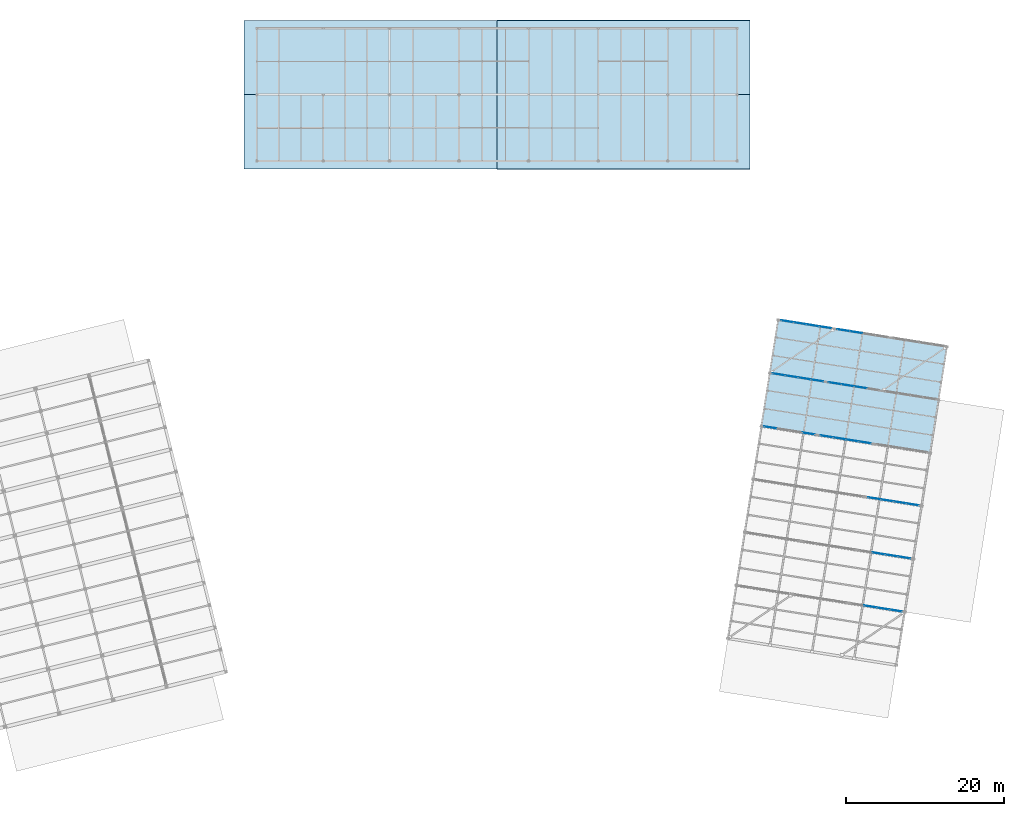
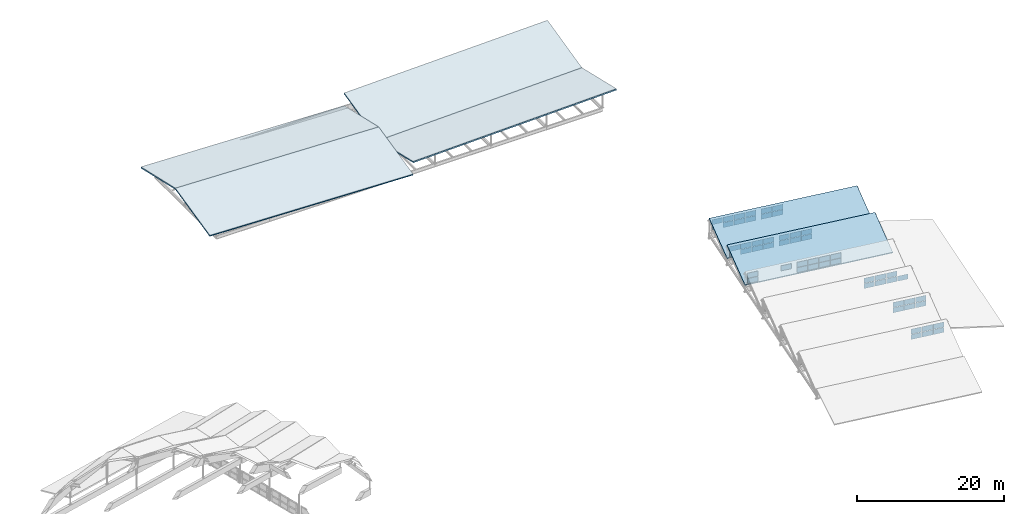
# One storey, part 57 of 65: 56 plates, 6 slabs, 9 elements without a shape of their own.
"""IFC4 building model written with IfcOpenShell, lengths in metres."""

import ifcopenshell
import ifcopenshell.guid

model = None  # the IFC model being written
_history = None  # IfcOwnerHistory: only IFC2X3 demands one
_inside = {}  # id of a spatial element -> (the spatial element, [elements in it])
_under = {}  # id of a project, library or spatial element -> (it, [spatial elements below it])
_declared = {}  # id of a project -> (the project, [libraries it declares])
_typed = {}  # id of a type object -> (the type object, [elements of that type])
_made_of = {}  # id of a material, layer set ... -> (it, [elements and type objects made of it])


def new_model(schema):
    """Start an empty IFC model of exactly this schema.

    Asked for "IFC4X3", IfcOpenShell would pick the latest addendum, in which some entities
    have other attributes; the version numbers below select the first issue.
    IFC2X3 requires an IfcOwnerHistory on every rooted entity: one is made here for all.
    """
    global model, _history
    if schema == "IFC4X3":
        model = ifcopenshell.file(schema_version=(4, 3, 0, 0))
    else:
        model = ifcopenshell.file(schema=schema)
    _inside.clear()
    _under.clear()
    _declared.clear()
    _typed.clear()
    _made_of.clear()
    _history = None
    if model.schema == "IFC2X3":
        org = make("IfcOrganization", Name="unknown")
        user = make(
            "IfcPersonAndOrganization",
            ThePerson=make("IfcPerson", FamilyName="unknown"),
            TheOrganization=org,
        )
        app = make(
            "IfcApplication",
            ApplicationDeveloper=org,
            Version="unknown",
            ApplicationFullName="unknown",
            ApplicationIdentifier="unknown",
        )
        _history = make(
            "IfcOwnerHistory",
            OwningUser=user,
            OwningApplication=app,
            ChangeAction="ADDED",
            CreationDate=0,
        )
    return model


def make(cls, **values):
    """One entity of the class cls with the attributes given. An attribute that is None is left unset."""
    return model.create_entity(
        cls, **{name: value for name, value in values.items() if value is not None}
    )


def rooted(cls, **values):
    """An entity with a GlobalId (a new one), such as an element, a storey or a relation."""
    return make(cls, GlobalId=ifcopenshell.guid.new(), OwnerHistory=_history, **values)


def si_unit(unit_type, name, prefix=None):
    """IfcSIUnit, for example si_unit("LENGTHUNIT", "METRE", prefix="MILLI")."""
    return make("IfcSIUnit", UnitType=unit_type, Prefix=prefix, Name=name)


def assignment(units):
    """IfcUnitAssignment: the units of a project."""
    return None if units is None else make("IfcUnitAssignment", Units=units)


def point(xyz):
    """IfcCartesianPoint."""
    return None if xyz is None else make("IfcCartesianPoint", Coordinates=xyz)


def direction(xyz):
    """IfcDirection."""
    return None if xyz is None else make("IfcDirection", DirectionRatios=xyz)


def frame(location, z_axis=None, x_axis=None):
    """IfcAxis2Placement3D, a coordinate frame: its origin and axes. An axis left out is left unset."""
    return make(
        "IfcAxis2Placement3D",
        Location=point(location),
        Axis=direction(z_axis),
        RefDirection=direction(x_axis),
    )


def frame_2d(location, x_axis=None):
    """IfcAxis2Placement2D, a coordinate frame in the plane: its origin and x axis."""
    return make(
        "IfcAxis2Placement2D", Location=point(location), RefDirection=direction(x_axis)
    )


def origin():
    """The frame at (0, 0, 0) with its axes left unset."""
    return frame((0.0, 0.0, 0.0))


def origin_2d():
    """The frame at (0, 0) in the plane with its x axis left unset."""
    return frame_2d((0.0, 0.0))


def place(relative_to, where):
    """IfcLocalPlacement: puts the frame where relative to a parent placement (None: the world)."""
    return make(
        "IfcLocalPlacement", PlacementRelTo=relative_to, RelativePlacement=where
    )


def context(
    kind, dimensions, precision=None, world=None, true_north=None, identifier=None
):
    """IfcGeometricRepresentationContext, for example the 3D "Model" context."""
    return make(
        "IfcGeometricRepresentationContext",
        ContextIdentifier=identifier,
        ContextType=kind,
        CoordinateSpaceDimension=dimensions,
        Precision=precision,
        WorldCoordinateSystem=world,
        TrueNorth=true_north,
    )


def subcontext(parent, identifier, kind, view, scale=None):
    """IfcGeometricRepresentationSubContext, for example "Body" below "Model"."""
    return make(
        "IfcGeometricRepresentationSubContext",
        ContextIdentifier=identifier,
        ContextType=kind,
        ParentContext=parent,
        TargetScale=scale,
        TargetView=view,
    )


def project(units=None, contexts=None):
    """IfcProject with its units and contexts."""
    return rooted(
        "IfcProject",
        Name="project",
        RepresentationContexts=contexts,
        UnitsInContext=assignment(units),
    )


def spatial(cls, under=None, at=None, **own):
    """A site, building, storey or space (cls), placed at a placement, below another one or the project."""
    s = rooted(cls, ObjectPlacement=at, **own)
    if under is not None:
        _under.setdefault(under.id(), (under, []))[1].append(s)
    return s


def polyline(points):
    """IfcPolyline through the points."""
    return make("IfcPolyline", Points=[point(p) for p in points])


def profile(cls, at=None, kind="AREA", **sizes):
    """A parametric profile (cls). Its sizes go by their IFC names, for example OverallWidth=200.0."""
    return make(cls, ProfileType=kind, Position=at, **sizes)


def rectangle(**sizes):
    """IfcRectangleProfileDef."""
    return profile("IfcRectangleProfileDef", **sizes)


def outline(outer, holes=None, kind="AREA"):
    """IfcArbitraryClosedProfileDef: a profile drawn as a closed curve; with holes, ...WithVoids."""
    if holes is None:
        return make("IfcArbitraryClosedProfileDef", ProfileType=kind, OuterCurve=outer)
    return make(
        "IfcArbitraryProfileDefWithVoids",
        ProfileType=kind,
        OuterCurve=outer,
        InnerCurves=holes,
    )


def extrude(swept, where, along, depth):
    """IfcExtrudedAreaSolid: the profile swept, set in the frame where, extruded along a direction by depth."""
    return make(
        "IfcExtrudedAreaSolid",
        SweptArea=swept,
        Position=where,
        ExtrudedDirection=direction(along),
        Depth=depth,
    )


def shape(context_of_items, identifier, shape_type, items):
    """IfcShapeRepresentation: the items that make up one representation, for example the "Body"."""
    return make(
        "IfcShapeRepresentation",
        ContextOfItems=context_of_items,
        RepresentationIdentifier=identifier,
        RepresentationType=shape_type,
        Items=items,
    )


def material(Name=None, Category=None):
    """IfcMaterial."""
    return make("IfcMaterial", Name=Name, Category=Category)


def layer(
    of_material, thickness, ventilated=None, Name=None, Category=None, Priority=None
):
    """IfcMaterialLayer: one layer of a wall or slab, of a material (None: an air gap)."""
    return make(
        "IfcMaterialLayer",
        Material=of_material,
        LayerThickness=thickness,
        IsVentilated=ventilated,
        Name=Name,
        Category=Category,
        Priority=Priority,
    )


def layer_set(layers, Name=None):
    """IfcMaterialLayerSet."""
    return make("IfcMaterialLayerSet", MaterialLayers=layers, LayerSetName=Name)


def made_of(thing, what):
    """Note that an element or type object is made of a material, layer set ...; save() writes the relation."""
    if what is not None:
        _made_of.setdefault(what.id(), (what, []))[1].append(thing)
    return thing


def type_object(cls, material=None, **own):
    """A type object (cls), such as IfcWallType, which elements share."""
    return made_of(rooted(cls, **own), material)


def element(
    cls,
    number,
    at=None,
    inside=None,
    cuts=None,
    type_object=None,
    material=None,
    context=None,
    identifier="Body",
    shape_type=None,
    held_by="IfcProductDefinitionShape",
    body=None,
    shapes=None,
    **own,
):
    """One element of the class cls, such as IfcWall. Its Tag is "e" and its number.

    at: its placement. inside: the storey or other place that contains it. cuts: it is an
    opening in that element (IfcRelVoidsElement). A single representation is given by context,
    identifier, shape_type and body (its items); several are given by shapes. held_by: the class
    of the entity that holds the representations. save() writes the other relations.
    """
    e = rooted(cls, Tag="e%d" % number, ObjectPlacement=at, **own)
    if body is not None:
        shapes = [shape(context, identifier, shape_type, body)]
    if shapes is not None:
        e.Representation = make(held_by, Representations=shapes)
    if inside is not None:
        _inside.setdefault(inside.id(), (inside, []))[1].append(e)
    if cuts is not None:
        rooted(
            "IfcRelVoidsElement", RelatingBuildingElement=cuts, RelatedOpeningElement=e
        )
    if type_object is not None:
        _typed.setdefault(type_object.id(), (type_object, []))[1].append(e)
    return made_of(e, material)


def aggregate(whole, parts):
    """IfcRelAggregates: a whole, such as a stair, and the parts it consists of."""
    return rooted("IfcRelAggregates", RelatingObject=whole, RelatedObjects=parts)


def save(model, path):
    """Write the relations noted so far, then the file.

    IfcRelAggregates (storeys below a building ...), IfcRelContainedInSpatialStructure (elements
    in a storey), IfcRelDefinesByType, IfcRelAssociatesMaterial and IfcRelDeclares: one each for
    every whole, place, type object, material and project.
    """
    for whole, parts in _under.values():
        aggregate(whole, parts)
    for where, things in _inside.values():
        rooted(
            "IfcRelContainedInSpatialStructure",
            RelatedElements=things,
            RelatingStructure=where,
        )
    for kind, things in _typed.values():
        rooted("IfcRelDefinesByType", RelatedObjects=things, RelatingType=kind)
    for what, things in _made_of.values():
        rooted("IfcRelAssociatesMaterial", RelatedObjects=things, RelatingMaterial=what)
    for by, libraries in _declared.values():
        rooted("IfcRelDeclares", RelatingContext=by, RelatedDefinitions=libraries)
    model.write(path)


model = new_model("IFC4")

# Units and contexts
model_context = context("Model", 3, precision=1e-05, world=origin(), true_north=direction((0.0, 1.0)))
body_context = subcontext(model_context, "Body", "Model", "MODEL_VIEW")
ifc_project = project(units=[si_unit("LENGTHUNIT", "METRE"), si_unit("AREAUNIT", "SQUARE_METRE"), si_unit("VOLUMEUNIT", "CUBIC_METRE"), si_unit("PLANEANGLEUNIT", "RADIAN"), si_unit("MASSUNIT", "GRAM", prefix="KILO")], contexts=[model_context])

# Site, building, storey
site_placement = place(None, origin())
site = spatial("IfcSite", under=ifc_project, at=site_placement, CompositionType="ELEMENT")
building_placement = place(site_placement, origin())
building = spatial("IfcBuilding", under=site, at=building_placement, Name="Cinderway Yard Community Centre", CompositionType="ELEMENT")
storey_placement = place(building_placement, frame((0.0, 0.0, 24.300048828125)))
storey = spatial("IfcBuildingStorey", under=building, at=storey_placement, Name="RF", CompositionType="ELEMENT", Elevation=24.300048828125)

# Curtain wall, plates
ifc_material_1 = material(Name="Aluminium 6063-T6", Category="aluminium")
curtain_wall_type = type_object("IfcCurtainWallType", Name="ENV-CW-TYPE-23", PredefinedType="USERDEFINED", material=ifc_material_1)
curtain_wall_1_placement = place(storey_placement, origin())
curtain_wall_1 = element("IfcCurtainWall", 1, at=curtain_wall_1_placement, inside=storey, type_object=curtain_wall_type, Name="Sawtooth North-Light Clerestory ENV-CW-RF-ST-0074", ObjectType="GLAZED CURTAIN WALL", PredefinedType="USERDEFINED")
ifc_material_2 = material(Name="Laminated Low-E Glass", Category="glass")
ifc_layer_1 = layer(ifc_material_2, 0.028076171875, Name="Laminated Low-E Glass")
ifc_layer_set_1 = layer_set([ifc_layer_1], Name="Laminated Low-E Glass")
plate_type = type_object("IfcPlateType", Name="ENV-CW-PAN-IGU28", PredefinedType="CURTAIN_PANEL", material=ifc_layer_set_1)
plate_1_placement = place(storey_placement, frame((136.031982421875, 42.02880859375, -10.14013671875), z_axis=(0.0, 0.0, 1.0), x_axis=(0.98767258474, -0.156533911189, 0.0)))
plate_1 = element("IfcPlate", 2, at=plate_1_placement, type_object=plate_type, Name="CW-23 panel 2.1", PredefinedType="CURTAIN_PANEL", context=body_context, shape_type="SweptSolid", body=[
    extrude(rectangle(XDim=1.580322265625, YDim=0.028076171875, at=origin_2d()), origin(), (0.0, 0.0, 1.0), 0.830078125),
])
plate_2_placement = place(storey_placement, frame((136.031982421875, 42.02880859375, -9.25), z_axis=(0.0, 0.0, 1.0), x_axis=(0.98767258474, -0.156533911189, 0.0)))
plate_2 = element("IfcPlate", 3, at=plate_2_placement, type_object=plate_type, Name="CW-23 panel 2.2", PredefinedType="CURTAIN_PANEL", context=body_context, shape_type="SweptSolid", body=[
    extrude(rectangle(XDim=1.580322265625, YDim=0.028076171875, at=origin_2d()), origin(), (0.0, 0.0, 1.0), 0.840087890625),
])
plate_3_placement = place(storey_placement, frame((137.652099609375, 41.772216796875, -10.14013671875), z_axis=(0.0, 0.0, 1.0), x_axis=(0.98767258474, -0.156533911189, 0.0)))
plate_3 = element("IfcPlate", 4, at=plate_3_placement, type_object=plate_type, Name="CW-23 panel 3.1", PredefinedType="CURTAIN_PANEL", context=body_context, shape_type="SweptSolid", body=[
    extrude(rectangle(XDim=1.580322265625, YDim=0.028076171875, at=origin_2d()), origin(), (0.0, 0.0, 1.0), 0.830078125),
])
plate_4_placement = place(storey_placement, frame((137.652099609375, 41.772216796875, -9.25), z_axis=(0.0, 0.0, 1.0), x_axis=(0.98767258474, -0.156533911189, 0.0)))
plate_4 = element("IfcPlate", 5, at=plate_4_placement, type_object=plate_type, Name="CW-23 panel 3.2", PredefinedType="CURTAIN_PANEL", context=body_context, shape_type="SweptSolid", body=[
    extrude(rectangle(XDim=1.580322265625, YDim=0.028076171875, at=origin_2d()), origin(), (0.0, 0.0, 1.0), 0.840087890625),
])
plate_5_placement = place(storey_placement, frame((139.257080078125, 41.517822265625, -10.14013671875), z_axis=(0.0, 0.0, 1.0), x_axis=(0.98767258474, -0.156533911189, 0.0)))
plate_5 = element("IfcPlate", 6, at=plate_5_placement, type_object=plate_type, Name="CW-23 panel 4.1", PredefinedType="CURTAIN_PANEL", context=body_context, shape_type="SweptSolid", body=[
    extrude(rectangle(XDim=1.55029296875, YDim=0.028076171875, at=origin_2d()), origin(), (0.0, 0.0, 1.0), 0.830078125),
])
plate_6_placement = place(storey_placement, frame((139.257080078125, 41.517822265625, -9.25), z_axis=(0.0, 0.0, 1.0), x_axis=(0.98767258474, -0.156533911189, 0.0)))
plate_6 = element("IfcPlate", 7, at=plate_6_placement, type_object=plate_type, Name="CW-23 panel 4.2", PredefinedType="CURTAIN_PANEL", context=body_context, shape_type="SweptSolid", body=[
    extrude(rectangle(XDim=1.55029296875, YDim=0.028076171875, at=origin_2d()), origin(), (0.0, 0.0, 1.0), 0.840087890625),
])
aggregate(curtain_wall_1, [plate_1, plate_2, plate_3, plate_4, plate_5, plate_6])

curtain_wall_2_placement = place(storey_placement, origin())
curtain_wall_2 = element("IfcCurtainWall", 8, at=curtain_wall_2_placement, inside=storey, type_object=curtain_wall_type, Name="Sawtooth North-Light Clerestory ENV-CW-RF-ST-0077", ObjectType="GLAZED CURTAIN WALL", PredefinedType="USERDEFINED")
plate_7_placement = place(storey_placement, frame((137.095947265625, 48.745361328125, -10.14013671875), z_axis=(0.0, 0.0, 1.0), x_axis=(0.987696138675, -0.156385221956, 0.0)))
plate_7 = element("IfcPlate", 9, at=plate_7_placement, type_object=plate_type, Name="CW-23 panel 2.1", PredefinedType="CURTAIN_PANEL", context=body_context, shape_type="SweptSolid", body=[
    extrude(rectangle(XDim=1.580078125, YDim=0.028076171875, at=origin_2d()), origin(), (0.0, 0.0, 1.0), 0.830078125),
])
plate_8_placement = place(storey_placement, frame((137.095947265625, 48.745361328125, -9.25), z_axis=(0.0, 0.0, 1.0), x_axis=(0.987696138675, -0.156385221956, 0.0)))
plate_8 = element("IfcPlate", 10, at=plate_8_placement, type_object=plate_type, Name="CW-23 panel 2.2", PredefinedType="CURTAIN_PANEL", context=body_context, shape_type="SweptSolid", body=[
    extrude(rectangle(XDim=1.580078125, YDim=0.028076171875, at=origin_2d()), origin(), (0.0, 0.0, 1.0), 0.840087890625),
])
plate_9_placement = place(storey_placement, frame((138.716064453125, 48.48876953125, -10.14013671875), z_axis=(0.0, 0.0, 1.0), x_axis=(0.987696138675, -0.156385221956, 0.0)))
plate_9 = element("IfcPlate", 11, at=plate_9_placement, type_object=plate_type, Name="CW-23 panel 3.1", PredefinedType="CURTAIN_PANEL", context=body_context, shape_type="SweptSolid", body=[
    extrude(rectangle(XDim=1.580078125, YDim=0.028076171875, at=origin_2d()), origin(), (0.0, 0.0, 1.0), 0.830078125),
])
plate_10_placement = place(storey_placement, frame((138.716064453125, 48.48876953125, -9.25), z_axis=(0.0, 0.0, 1.0), x_axis=(0.987696138675, -0.156385221956, 0.0)))
plate_10 = element("IfcPlate", 12, at=plate_10_placement, type_object=plate_type, Name="CW-23 panel 3.2", PredefinedType="CURTAIN_PANEL", context=body_context, shape_type="SweptSolid", body=[
    extrude(rectangle(XDim=1.580078125, YDim=0.028076171875, at=origin_2d()), origin(), (0.0, 0.0, 1.0), 0.840087890625),
])
plate_11_placement = place(storey_placement, frame((140.3212890625, 48.234619140625, -10.14013671875), z_axis=(0.0, 0.0, 1.0), x_axis=(0.987696138675, -0.156385221956, 0.0)))
plate_11 = element("IfcPlate", 13, at=plate_11_placement, type_object=plate_type, Name="CW-23 panel 4.1", PredefinedType="CURTAIN_PANEL", context=body_context, shape_type="SweptSolid", body=[
    extrude(rectangle(XDim=1.55029296875, YDim=0.028076171875, at=origin_2d()), origin(), (0.0, 0.0, 1.0), 0.830078125),
])
plate_12_placement = place(storey_placement, frame((140.3212890625, 48.234619140625, -9.25), z_axis=(0.0, 0.0, 1.0), x_axis=(0.987696138675, -0.156385221956, 0.0)))
plate_12 = element("IfcPlate", 14, at=plate_12_placement, type_object=plate_type, Name="CW-23 panel 4.2", PredefinedType="CURTAIN_PANEL", context=body_context, shape_type="SweptSolid", body=[
    extrude(rectangle(XDim=1.55029296875, YDim=0.028076171875, at=origin_2d()), origin(), (0.0, 0.0, 1.0), 0.840087890625),
])
aggregate(curtain_wall_2, [plate_7, plate_8, plate_9, plate_10, plate_11, plate_12])

curtain_wall_3_placement = place(storey_placement, origin())
curtain_wall_3 = element("IfcCurtainWall", 15, at=curtain_wall_3_placement, inside=storey, type_object=curtain_wall_type, Name="Sawtooth North-Light Clerestory ENV-CW-RF-ST-0080", ObjectType="GLAZED CURTAIN WALL", PredefinedType="USERDEFINED")
plate_13_placement = place(storey_placement, frame((136.5546875, 55.71533203125, -10.14013671875), z_axis=(0.0, 0.0, 1.0), x_axis=(0.987692410142, -0.15640876877, 0.0)))
plate_13 = element("IfcPlate", 16, at=plate_13_placement, type_object=plate_type, Name="CW-23 panel 1.1", PredefinedType="CURTAIN_PANEL", context=body_context, shape_type="SweptSolid", body=[
    extrude(rectangle(XDim=1.550048828125, YDim=0.028076171875, at=origin_2d()), origin(), (0.0, 0.0, 1.0), 0.830078125),
])
plate_14_placement = place(storey_placement, frame((136.5546875, 55.71533203125, -9.25), z_axis=(0.0, 0.0, 1.0), x_axis=(0.987692410142, -0.15640876877, 0.0)))
plate_14 = element("IfcPlate", 17, at=plate_14_placement, type_object=plate_type, Name="CW-23 panel 1.2", PredefinedType="CURTAIN_PANEL", context=body_context, shape_type="SweptSolid", body=[
    extrude(rectangle(XDim=1.550048828125, YDim=0.028076171875, at=origin_2d()), origin(), (0.0, 0.0, 1.0), 0.840087890625),
])
plate_15_placement = place(storey_placement, frame((138.15966796875, 55.461181640625, -10.14013671875), z_axis=(0.0, 0.0, 1.0), x_axis=(0.987692410142, -0.15640876877, 0.0)))
plate_15 = element("IfcPlate", 18, at=plate_15_placement, type_object=plate_type, Name="CW-23 panel 2.1", PredefinedType="CURTAIN_PANEL", context=body_context, shape_type="SweptSolid", body=[
    extrude(rectangle(XDim=1.579833984375, YDim=0.028076171875, at=origin_2d()), origin(), (0.0, 0.0, 1.0), 0.830078125),
])
plate_16_placement = place(storey_placement, frame((138.15966796875, 55.461181640625, -9.25), z_axis=(0.0, 0.0, 1.0), x_axis=(0.987692410142, -0.15640876877, 0.0)))
plate_16 = element("IfcPlate", 19, at=plate_16_placement, type_object=plate_type, Name="CW-23 panel 2.2", PredefinedType="CURTAIN_PANEL", context=body_context, shape_type="SweptSolid", body=[
    extrude(rectangle(XDim=1.579833984375, YDim=0.028076171875, at=origin_2d()), origin(), (0.0, 0.0, 1.0), 0.840087890625),
])
plate_17_placement = place(storey_placement, frame((139.779296875, 55.204833984375, -10.14013671875), z_axis=(0.0, 0.0, 1.0), x_axis=(0.987692410142, -0.15640876877, 0.0)))
plate_17 = element("IfcPlate", 20, at=plate_17_placement, type_object=plate_type, Name="CW-23 panel 3.1", PredefinedType="CURTAIN_PANEL", context=body_context, shape_type="SweptSolid", body=[
    extrude(rectangle(XDim=1.579833984375, YDim=0.028076171875, at=origin_2d()), origin(), (0.0, 0.0, 1.0), 0.830078125),
])
plate_18_placement = place(storey_placement, frame((139.779296875, 55.204833984375, -9.25), z_axis=(0.0, 0.0, 1.0), x_axis=(0.987692410142, -0.15640876877, 0.0)))
plate_18 = element("IfcPlate", 21, at=plate_18_placement, type_object=plate_type, Name="CW-23 panel 3.2", PredefinedType="CURTAIN_PANEL", context=body_context, shape_type="SweptSolid", body=[
    extrude(rectangle(XDim=1.579833984375, YDim=0.028076171875, at=origin_2d()), origin(), (0.0, 0.0, 1.0), 0.840087890625),
])
plate_19_placement = place(storey_placement, frame((141.38427734375, 54.95068359375, -10.14013671875), z_axis=(0.0, 0.0, 1.0), x_axis=(0.987692410142, -0.15640876877, 0.0)))
plate_19 = element("IfcPlate", 22, at=plate_19_placement, type_object=plate_type, Name="CW-23 panel 4.1", PredefinedType="CURTAIN_PANEL", context=body_context, shape_type="SweptSolid", body=[
    extrude(rectangle(XDim=1.550048828125, YDim=0.028076171875, at=origin_2d()), origin(), (0.0, 0.0, 1.0), 0.830078125),
])
aggregate(curtain_wall_3, [plate_13, plate_14, plate_15, plate_16, plate_17, plate_18, plate_19])

curtain_wall_4_placement = place(storey_placement, origin())
curtain_wall_4 = element("IfcCurtainWall", 23, at=curtain_wall_4_placement, inside=storey, type_object=curtain_wall_type, Name="Sawtooth North-Light Clerestory ENV-CW-RF-ST-0081", ObjectType="GLAZED CURTAIN WALL", PredefinedType="USERDEFINED")
plate_20_placement = place(storey_placement, frame((123.395751953125, 64.684326171875, -10.14013671875), z_axis=(0.0, 0.0, 1.0), x_axis=(0.987692410142, -0.15640876877, 0.0)))
plate_20 = element("IfcPlate", 24, at=plate_20_placement, type_object=plate_type, Name="CW-23 panel 1.1", PredefinedType="CURTAIN_PANEL", context=body_context, shape_type="SweptSolid", body=[
    extrude(rectangle(XDim=1.550048828125, YDim=0.028076171875, at=origin_2d()), origin(), (0.0, 0.0, 1.0), 0.830078125),
])
plate_21_placement = place(storey_placement, frame((123.395751953125, 64.684326171875, -9.25), z_axis=(0.0, 0.0, 1.0), x_axis=(0.987692410142, -0.15640876877, 0.0)))
plate_21 = element("IfcPlate", 25, at=plate_21_placement, type_object=plate_type, Name="CW-23 panel 1.2", PredefinedType="CURTAIN_PANEL", context=body_context, shape_type="SweptSolid", body=[
    extrude(rectangle(XDim=1.550048828125, YDim=0.028076171875, at=origin_2d()), origin(), (0.0, 0.0, 1.0), 0.840087890625),
])
plate_22_placement = place(storey_placement, frame((128.225341796875, 63.919677734375, -9.25), z_axis=(0.0, 0.0, 1.0), x_axis=(0.987692410142, -0.15640876877, 0.0)))
plate_22 = element("IfcPlate", 26, at=plate_22_placement, type_object=plate_type, Name="CW-23 panel 4.2", PredefinedType="CURTAIN_PANEL", context=body_context, shape_type="SweptSolid", body=[
    extrude(rectangle(XDim=1.550048828125, YDim=0.028076171875, at=origin_2d()), origin(), (0.0, 0.0, 1.0), 0.840087890625),
])
aggregate(curtain_wall_4, [plate_20, plate_21, plate_22])

curtain_wall_5_placement = place(storey_placement, origin())
curtain_wall_5 = element("IfcCurtainWall", 27, at=curtain_wall_5_placement, inside=storey, type_object=curtain_wall_type, Name="Sawtooth North-Light Clerestory ENV-CW-RF-ST-0082", ObjectType="GLAZED CURTAIN WALL", PredefinedType="USERDEFINED")
plate_23_placement = place(storey_placement, frame((130.5068359375, 63.558349609375, -10.14013671875), z_axis=(0.0, 0.0, 1.0), x_axis=(0.98767258474, -0.156533911189, 0.0)))
plate_23 = element("IfcPlate", 28, at=plate_23_placement, type_object=plate_type, Name="CW-23 panel 1.1", PredefinedType="CURTAIN_PANEL", context=body_context, shape_type="SweptSolid", body=[
    extrude(rectangle(XDim=1.55029296875, YDim=0.028076171875, at=origin_2d()), origin(), (0.0, 0.0, 1.0), 0.830078125),
])
plate_24_placement = place(storey_placement, frame((130.5068359375, 63.558349609375, -9.25), z_axis=(0.0, 0.0, 1.0), x_axis=(0.98767258474, -0.156533911189, 0.0)))
plate_24 = element("IfcPlate", 29, at=plate_24_placement, type_object=plate_type, Name="CW-23 panel 1.2", PredefinedType="CURTAIN_PANEL", context=body_context, shape_type="SweptSolid", body=[
    extrude(rectangle(XDim=1.55029296875, YDim=0.028076171875, at=origin_2d()), origin(), (0.0, 0.0, 1.0), 0.840087890625),
])
plate_25_placement = place(storey_placement, frame((132.112060546875, 63.303955078125, -10.14013671875), z_axis=(0.0, 0.0, 1.0), x_axis=(0.98767258474, -0.156533911189, 0.0)))
plate_25 = element("IfcPlate", 30, at=plate_25_placement, type_object=plate_type, Name="CW-23 panel 2.1", PredefinedType="CURTAIN_PANEL", context=body_context, shape_type="SweptSolid", body=[
    extrude(rectangle(XDim=1.580322265625, YDim=0.028076171875, at=origin_2d()), origin(), (0.0, 0.0, 1.0), 0.830078125),
])
plate_26_placement = place(storey_placement, frame((132.112060546875, 63.303955078125, -9.25), z_axis=(0.0, 0.0, 1.0), x_axis=(0.98767258474, -0.156533911189, 0.0)))
plate_26 = element("IfcPlate", 31, at=plate_26_placement, type_object=plate_type, Name="CW-23 panel 2.2", PredefinedType="CURTAIN_PANEL", context=body_context, shape_type="SweptSolid", body=[
    extrude(rectangle(XDim=1.580322265625, YDim=0.028076171875, at=origin_2d()), origin(), (0.0, 0.0, 1.0), 0.840087890625),
])
plate_27_placement = place(storey_placement, frame((133.73193359375, 63.047119140625, -10.14013671875), z_axis=(0.0, 0.0, 1.0), x_axis=(0.98767258474, -0.156533911189, 0.0)))
plate_27 = element("IfcPlate", 32, at=plate_27_placement, type_object=plate_type, Name="CW-23 panel 3.1", PredefinedType="CURTAIN_PANEL", context=body_context, shape_type="SweptSolid", body=[
    extrude(rectangle(XDim=1.580322265625, YDim=0.028076171875, at=origin_2d()), origin(), (0.0, 0.0, 1.0), 0.830078125),
])
plate_28_placement = place(storey_placement, frame((133.73193359375, 63.047119140625, -9.25), z_axis=(0.0, 0.0, 1.0), x_axis=(0.98767258474, -0.156533911189, 0.0)))
plate_28 = element("IfcPlate", 33, at=plate_28_placement, type_object=plate_type, Name="CW-23 panel 3.2", PredefinedType="CURTAIN_PANEL", context=body_context, shape_type="SweptSolid", body=[
    extrude(rectangle(XDim=1.580322265625, YDim=0.028076171875, at=origin_2d()), origin(), (0.0, 0.0, 1.0), 0.840087890625),
])
plate_29_placement = place(storey_placement, frame((135.337158203125, 62.792724609375, -10.14013671875), z_axis=(0.0, 0.0, 1.0), x_axis=(0.98767258474, -0.156533911189, 0.0)))
plate_29 = element("IfcPlate", 34, at=plate_29_placement, type_object=plate_type, Name="CW-23 panel 4.1", PredefinedType="CURTAIN_PANEL", context=body_context, shape_type="SweptSolid", body=[
    extrude(rectangle(XDim=1.55029296875, YDim=0.028076171875, at=origin_2d()), origin(), (0.0, 0.0, 1.0), 0.830078125),
])
plate_30_placement = place(storey_placement, frame((135.337158203125, 62.792724609375, -9.25), z_axis=(0.0, 0.0, 1.0), x_axis=(0.98767258474, -0.156533911189, 0.0)))
plate_30 = element("IfcPlate", 35, at=plate_30_placement, type_object=plate_type, Name="CW-23 panel 4.2", PredefinedType="CURTAIN_PANEL", context=body_context, shape_type="SweptSolid", body=[
    extrude(rectangle(XDim=1.55029296875, YDim=0.028076171875, at=origin_2d()), origin(), (0.0, 0.0, 1.0), 0.840087890625),
])
aggregate(curtain_wall_5, [plate_23, plate_24, plate_25, plate_26, plate_27, plate_28, plate_29, plate_30])

curtain_wall_6_placement = place(storey_placement, origin())
curtain_wall_6 = element("IfcCurtainWall", 36, at=curtain_wall_6_placement, inside=storey, type_object=curtain_wall_type, Name="Sawtooth North-Light Clerestory ENV-CW-RF-ST-0084", ObjectType="GLAZED CURTAIN WALL", PredefinedType="USERDEFINED")
plate_31_placement = place(storey_placement, frame((124.459716796875, 71.400390625, -10.14013671875), z_axis=(0.0, 0.0, 1.0), x_axis=(0.987692410142, -0.15640876877, 0.0)))
plate_31 = element("IfcPlate", 37, at=plate_31_placement, type_object=plate_type, Name="CW-23 panel 1.1", PredefinedType="CURTAIN_PANEL", context=body_context, shape_type="SweptSolid", body=[
    extrude(rectangle(XDim=1.550048828125, YDim=0.028076171875, at=origin_2d()), origin(), (0.0, 0.0, 1.0), 0.830078125),
])
plate_32_placement = place(storey_placement, frame((124.459716796875, 71.400390625, -9.25), z_axis=(0.0, 0.0, 1.0), x_axis=(0.987692410142, -0.15640876877, 0.0)))
plate_32 = element("IfcPlate", 38, at=plate_32_placement, type_object=plate_type, Name="CW-23 panel 1.2", PredefinedType="CURTAIN_PANEL", context=body_context, shape_type="SweptSolid", body=[
    extrude(rectangle(XDim=1.550048828125, YDim=0.028076171875, at=origin_2d()), origin(), (0.0, 0.0, 1.0), 0.840087890625),
])
plate_33_placement = place(storey_placement, frame((126.064697265625, 71.146240234375, -10.14013671875), z_axis=(0.0, 0.0, 1.0), x_axis=(0.987692410142, -0.15640876877, 0.0)))
plate_33 = element("IfcPlate", 39, at=plate_33_placement, type_object=plate_type, Name="CW-23 panel 2.1", PredefinedType="CURTAIN_PANEL", context=body_context, shape_type="SweptSolid", body=[
    extrude(rectangle(XDim=1.579833984375, YDim=0.028076171875, at=origin_2d()), origin(), (0.0, 0.0, 1.0), 0.830078125),
])
plate_34_placement = place(storey_placement, frame((126.064697265625, 71.146240234375, -9.25), z_axis=(0.0, 0.0, 1.0), x_axis=(0.987692410142, -0.15640876877, 0.0)))
plate_34 = element("IfcPlate", 40, at=plate_34_placement, type_object=plate_type, Name="CW-23 panel 2.2", PredefinedType="CURTAIN_PANEL", context=body_context, shape_type="SweptSolid", body=[
    extrude(rectangle(XDim=1.579833984375, YDim=0.028076171875, at=origin_2d()), origin(), (0.0, 0.0, 1.0), 0.840087890625),
])
plate_35_placement = place(storey_placement, frame((127.684326171875, 70.8896484375, -10.14013671875), z_axis=(0.0, 0.0, 1.0), x_axis=(0.987692410142, -0.15640876877, 0.0)))
plate_35 = element("IfcPlate", 41, at=plate_35_placement, type_object=plate_type, Name="CW-23 panel 3.1", PredefinedType="CURTAIN_PANEL", context=body_context, shape_type="SweptSolid", body=[
    extrude(rectangle(XDim=1.579833984375, YDim=0.028076171875, at=origin_2d()), origin(), (0.0, 0.0, 1.0), 0.830078125),
])
plate_36_placement = place(storey_placement, frame((127.684326171875, 70.8896484375, -9.25), z_axis=(0.0, 0.0, 1.0), x_axis=(0.987692410142, -0.15640876877, 0.0)))
plate_36 = element("IfcPlate", 42, at=plate_36_placement, type_object=plate_type, Name="CW-23 panel 3.2", PredefinedType="CURTAIN_PANEL", context=body_context, shape_type="SweptSolid", body=[
    extrude(rectangle(XDim=1.579833984375, YDim=0.028076171875, at=origin_2d()), origin(), (0.0, 0.0, 1.0), 0.840087890625),
])
plate_37_placement = place(storey_placement, frame((129.289306640625, 70.635498046875, -10.14013671875), z_axis=(0.0, 0.0, 1.0), x_axis=(0.987692410142, -0.15640876877, 0.0)))
plate_37 = element("IfcPlate", 43, at=plate_37_placement, type_object=plate_type, Name="CW-23 panel 4.1", PredefinedType="CURTAIN_PANEL", context=body_context, shape_type="SweptSolid", body=[
    extrude(rectangle(XDim=1.550048828125, YDim=0.028076171875, at=origin_2d()), origin(), (0.0, 0.0, 1.0), 0.830078125),
])
plate_38_placement = place(storey_placement, frame((129.289306640625, 70.635498046875, -9.25), z_axis=(0.0, 0.0, 1.0), x_axis=(0.987692410142, -0.15640876877, 0.0)))
plate_38 = element("IfcPlate", 44, at=plate_38_placement, type_object=plate_type, Name="CW-23 panel 4.2", PredefinedType="CURTAIN_PANEL", context=body_context, shape_type="SweptSolid", body=[
    extrude(rectangle(XDim=1.550048828125, YDim=0.028076171875, at=origin_2d()), origin(), (0.0, 0.0, 1.0), 0.840087890625),
])
aggregate(curtain_wall_6, [plate_31, plate_32, plate_33, plate_34, plate_35, plate_36, plate_37, plate_38])

curtain_wall_7_placement = place(storey_placement, origin())
curtain_wall_7 = element("IfcCurtainWall", 45, at=curtain_wall_7_placement, inside=storey, type_object=curtain_wall_type, Name="Sawtooth North-Light Clerestory ENV-CW-RF-ST-0085", ObjectType="GLAZED CURTAIN WALL", PredefinedType="USERDEFINED")
plate_39_placement = place(storey_placement, frame((131.57080078125, 70.2744140625, -10.14013671875), z_axis=(0.0, 0.0, 1.0), x_axis=(0.987692410142, -0.15640876877, 0.0)))
plate_39 = element("IfcPlate", 46, at=plate_39_placement, type_object=plate_type, Name="CW-23 panel 1.1", PredefinedType="CURTAIN_PANEL", context=body_context, shape_type="SweptSolid", body=[
    extrude(rectangle(XDim=1.550048828125, YDim=0.028076171875, at=origin_2d()), origin(), (0.0, 0.0, 1.0), 0.830078125),
])
plate_40_placement = place(storey_placement, frame((131.57080078125, 70.2744140625, -9.25), z_axis=(0.0, 0.0, 1.0), x_axis=(0.987692410142, -0.15640876877, 0.0)))
plate_40 = element("IfcPlate", 47, at=plate_40_placement, type_object=plate_type, Name="CW-23 panel 1.2", PredefinedType="CURTAIN_PANEL", context=body_context, shape_type="SweptSolid", body=[
    extrude(rectangle(XDim=1.550048828125, YDim=0.028076171875, at=origin_2d()), origin(), (0.0, 0.0, 1.0), 0.840087890625),
])
plate_41_placement = place(storey_placement, frame((133.175537109375, 70.020263671875, -10.14013671875), z_axis=(0.0, 0.0, 1.0), x_axis=(0.987692410142, -0.15640876877, 0.0)))
plate_41 = element("IfcPlate", 48, at=plate_41_placement, type_object=plate_type, Name="CW-23 panel 2.1", PredefinedType="CURTAIN_PANEL", context=body_context, shape_type="SweptSolid", body=[
    extrude(rectangle(XDim=1.579833984375, YDim=0.028076171875, at=origin_2d()), origin(), (0.0, 0.0, 1.0), 0.830078125),
])
plate_42_placement = place(storey_placement, frame((133.175537109375, 70.020263671875, -9.25), z_axis=(0.0, 0.0, 1.0), x_axis=(0.987692410142, -0.15640876877, 0.0)))
plate_42 = element("IfcPlate", 49, at=plate_42_placement, type_object=plate_type, Name="CW-23 panel 2.2", PredefinedType="CURTAIN_PANEL", context=body_context, shape_type="SweptSolid", body=[
    extrude(rectangle(XDim=1.579833984375, YDim=0.028076171875, at=origin_2d()), origin(), (0.0, 0.0, 1.0), 0.840087890625),
])
plate_43_placement = place(storey_placement, frame((134.79541015625, 69.763671875, -10.14013671875), z_axis=(0.0, 0.0, 1.0), x_axis=(0.987692410142, -0.15640876877, 0.0)))
plate_43 = element("IfcPlate", 50, at=plate_43_placement, type_object=plate_type, Name="CW-23 panel 3.1", PredefinedType="CURTAIN_PANEL", context=body_context, shape_type="SweptSolid", body=[
    extrude(rectangle(XDim=1.579833984375, YDim=0.028076171875, at=origin_2d()), origin(), (0.0, 0.0, 1.0), 0.830078125),
])
plate_44_placement = place(storey_placement, frame((134.79541015625, 69.763671875, -9.25), z_axis=(0.0, 0.0, 1.0), x_axis=(0.987692410142, -0.15640876877, 0.0)))
plate_44 = element("IfcPlate", 51, at=plate_44_placement, type_object=plate_type, Name="CW-23 panel 3.2", PredefinedType="CURTAIN_PANEL", context=body_context, shape_type="SweptSolid", body=[
    extrude(rectangle(XDim=1.579833984375, YDim=0.028076171875, at=origin_2d()), origin(), (0.0, 0.0, 1.0), 0.840087890625),
])
aggregate(curtain_wall_7, [plate_39, plate_40, plate_41, plate_42, plate_43, plate_44])

curtain_wall_8_placement = place(storey_placement, origin())
curtain_wall_8 = element("IfcCurtainWall", 52, at=curtain_wall_8_placement, inside=storey, type_object=curtain_wall_type, Name="Sawtooth North-Light Clerestory ENV-CW-RF-ST-0087", ObjectType="GLAZED CURTAIN WALL", PredefinedType="USERDEFINED")
plate_45_placement = place(storey_placement, frame((125.523681640625, 78.1171875, -10.14013671875), z_axis=(0.0, 0.0, 1.0), x_axis=(0.987668849203, -0.156557479266, 0.0)))
plate_45 = element("IfcPlate", 53, at=plate_45_placement, type_object=plate_type, Name="CW-23 panel 1.1", PredefinedType="CURTAIN_PANEL", context=body_context, shape_type="SweptSolid", body=[
    extrude(rectangle(XDim=1.550048828125, YDim=0.028076171875, at=origin_2d()), origin(), (0.0, 0.0, 1.0), 0.830078125),
])
plate_46_placement = place(storey_placement, frame((125.523681640625, 78.1171875, -9.25), z_axis=(0.0, 0.0, 1.0), x_axis=(0.987668849203, -0.156557479266, 0.0)))
plate_46 = element("IfcPlate", 54, at=plate_46_placement, type_object=plate_type, Name="CW-23 panel 1.2", PredefinedType="CURTAIN_PANEL", context=body_context, shape_type="SweptSolid", body=[
    extrude(rectangle(XDim=1.550048828125, YDim=0.028076171875, at=origin_2d()), origin(), (0.0, 0.0, 1.0), 0.840087890625),
])
plate_47_placement = place(storey_placement, frame((127.128662109375, 77.86279296875, -10.14013671875), z_axis=(0.0, 0.0, 1.0), x_axis=(0.987668849203, -0.156557479266, 0.0)))
plate_47 = element("IfcPlate", 55, at=plate_47_placement, type_object=plate_type, Name="CW-23 panel 2.1", PredefinedType="CURTAIN_PANEL", context=body_context, shape_type="SweptSolid", body=[
    extrude(rectangle(XDim=1.580078125, YDim=0.028076171875, at=origin_2d()), origin(), (0.0, 0.0, 1.0), 0.830078125),
])
plate_48_placement = place(storey_placement, frame((127.128662109375, 77.86279296875, -9.25), z_axis=(0.0, 0.0, 1.0), x_axis=(0.987668849203, -0.156557479266, 0.0)))
plate_48 = element("IfcPlate", 56, at=plate_48_placement, type_object=plate_type, Name="CW-23 panel 2.2", PredefinedType="CURTAIN_PANEL", context=body_context, shape_type="SweptSolid", body=[
    extrude(rectangle(XDim=1.580078125, YDim=0.028076171875, at=origin_2d()), origin(), (0.0, 0.0, 1.0), 0.840087890625),
])
plate_49_placement = place(storey_placement, frame((128.748291015625, 77.606201171875, -10.14013671875), z_axis=(0.0, 0.0, 1.0), x_axis=(0.987668849203, -0.156557479266, 0.0)))
plate_49 = element("IfcPlate", 57, at=plate_49_placement, type_object=plate_type, Name="CW-23 panel 3.1", PredefinedType="CURTAIN_PANEL", context=body_context, shape_type="SweptSolid", body=[
    extrude(rectangle(XDim=1.580078125, YDim=0.028076171875, at=origin_2d()), origin(), (0.0, 0.0, 1.0), 0.830078125),
])
plate_50_placement = place(storey_placement, frame((128.748291015625, 77.606201171875, -9.25), z_axis=(0.0, 0.0, 1.0), x_axis=(0.987668849203, -0.156557479266, 0.0)))
plate_50 = element("IfcPlate", 58, at=plate_50_placement, type_object=plate_type, Name="CW-23 panel 3.2", PredefinedType="CURTAIN_PANEL", context=body_context, shape_type="SweptSolid", body=[
    extrude(rectangle(XDim=1.580078125, YDim=0.028076171875, at=origin_2d()), origin(), (0.0, 0.0, 1.0), 0.840087890625),
])
plate_51_placement = place(storey_placement, frame((130.353271484375, 77.351806640625, -10.14013671875), z_axis=(0.0, 0.0, 1.0), x_axis=(0.987668849203, -0.156557479266, 0.0)))
plate_51 = element("IfcPlate", 59, at=plate_51_placement, type_object=plate_type, Name="CW-23 panel 4.1", PredefinedType="CURTAIN_PANEL", context=body_context, shape_type="SweptSolid", body=[
    extrude(rectangle(XDim=1.550048828125, YDim=0.028076171875, at=origin_2d()), origin(), (0.0, 0.0, 1.0), 0.830078125),
])
plate_52_placement = place(storey_placement, frame((130.353271484375, 77.351806640625, -9.25), z_axis=(0.0, 0.0, 1.0), x_axis=(0.987668849203, -0.156557479266, 0.0)))
plate_52 = element("IfcPlate", 60, at=plate_52_placement, type_object=plate_type, Name="CW-23 panel 4.2", PredefinedType="CURTAIN_PANEL", context=body_context, shape_type="SweptSolid", body=[
    extrude(rectangle(XDim=1.550048828125, YDim=0.028076171875, at=origin_2d()), origin(), (0.0, 0.0, 1.0), 0.840087890625),
])
aggregate(curtain_wall_8, [plate_45, plate_46, plate_47, plate_48, plate_49, plate_50, plate_51, plate_52])

curtain_wall_9_placement = place(storey_placement, origin())
curtain_wall_9 = element("IfcCurtainWall", 61, at=curtain_wall_9_placement, inside=storey, type_object=curtain_wall_type, Name="Sawtooth North-Light Clerestory ENV-CW-RF-ST-0088", ObjectType="GLAZED CURTAIN WALL", PredefinedType="USERDEFINED")
plate_53_placement = place(storey_placement, frame((132.634765625, 76.990478515625, -10.14013671875), z_axis=(0.0, 0.0, 1.0), x_axis=(0.987692410142, -0.15640876877, 0.0)))
plate_53 = element("IfcPlate", 62, at=plate_53_placement, type_object=plate_type, Name="CW-23 panel 1.1", PredefinedType="CURTAIN_PANEL", context=body_context, shape_type="SweptSolid", body=[
    extrude(rectangle(XDim=1.550048828125, YDim=0.028076171875, at=origin_2d()), origin(), (0.0, 0.0, 1.0), 0.830078125),
])
plate_54_placement = place(storey_placement, frame((132.634765625, 76.990478515625, -9.25), z_axis=(0.0, 0.0, 1.0), x_axis=(0.987692410142, -0.15640876877, 0.0)))
plate_54 = element("IfcPlate", 63, at=plate_54_placement, type_object=plate_type, Name="CW-23 panel 1.2", PredefinedType="CURTAIN_PANEL", context=body_context, shape_type="SweptSolid", body=[
    extrude(rectangle(XDim=1.550048828125, YDim=0.028076171875, at=origin_2d()), origin(), (0.0, 0.0, 1.0), 0.840087890625),
])
plate_55_placement = place(storey_placement, frame((134.23974609375, 76.736328125, -10.14013671875), z_axis=(0.0, 0.0, 1.0), x_axis=(0.987692410142, -0.15640876877, 0.0)))
plate_55 = element("IfcPlate", 64, at=plate_55_placement, type_object=plate_type, Name="CW-23 panel 2.1", PredefinedType="CURTAIN_PANEL", context=body_context, shape_type="SweptSolid", body=[
    extrude(rectangle(XDim=1.579833984375, YDim=0.028076171875, at=origin_2d()), origin(), (0.0, 0.0, 1.0), 0.830078125),
])
plate_56_placement = place(storey_placement, frame((134.23974609375, 76.736328125, -9.25), z_axis=(0.0, 0.0, 1.0), x_axis=(0.987692410142, -0.15640876877, 0.0)))
plate_56 = element("IfcPlate", 65, at=plate_56_placement, type_object=plate_type, Name="CW-23 panel 2.2", PredefinedType="CURTAIN_PANEL", context=body_context, shape_type="SweptSolid", body=[
    extrude(rectangle(XDim=1.579833984375, YDim=0.028076171875, at=origin_2d()), origin(), (0.0, 0.0, 1.0), 0.840087890625),
])
aggregate(curtain_wall_9, [plate_53, plate_54, plate_55, plate_56])

# Slabs
ifc_material_3 = material(Name="Concrete C40/50", Category="concrete")
ifc_layer_2 = layer(ifc_material_3, 0.199951171875, Name="Concrete C40/50")
ifc_layer_set_2 = layer_set([ifc_layer_2], Name="Concrete C40/50")
slab_type_1 = type_object("IfcSlabType", Name="STR-SLAB-ROOF-GB200", PredefinedType="ROOF", material=ifc_layer_set_2)
slab_1_placement = place(storey_placement, frame((56.800048828125, 97.39990234375, 1.14990234375), z_axis=(0.030449117504, -0.22287333692, 0.974371760127), x_axis=(0.999512076087, 0.0, -0.031234752378)))
element("IfcSlab", 66, at=slab_1_placement, inside=storey, type_object=slab_type_1, Name="V4 Scissored Roof Shard FOLD-SW", PredefinedType="ROOF", context=body_context, shape_type="SweptSolid", body=[
    extrude(outline(polyline([(0.0, 0.0), (32.01562118716424, 0.0), (31.948461894148963, 9.642684971590617), (-0.06715929301528094, 9.642684971590615), (0.0, 0.0)])), origin(), (0.0, 0.0, -1.0), 0.199951171875),
])
slab_2_placement = place(storey_placement, frame((56.800048828125, 106.800048828125, 3.300048828125), z_axis=(0.03044907822, 0.222878837991, 0.974370503049), x_axis=(0.999512076087, 0.0, -0.031234752378)))
element("IfcSlab", 67, at=slab_2_placement, inside=storey, type_object=slab_type_1, Name="V4 Scissored Roof Shard FOLD-NW", PredefinedType="ROOF", context=body_context, shape_type="SweptSolid", body=[
    extrude(outline(polyline([(0.0, 0.0), (32.01562118716424, 0.0), (32.08278048017952, 9.642446971887821), (0.06715929301528094, 9.642446971887821), (0.0, 0.0)])), origin(), (0.0, 0.0, -1.0), 0.199951171875),
])
slab_3_placement = place(storey_placement, frame((88.800048828125, 97.39990234375, 2.25), z_axis=(-0.02737180283, 0.227790925294, 0.973325268738), x_axis=(0.999604812397, 0.0, 0.028110834797)))
element("IfcSlab", 68, at=slab_3_placement, inside=storey, type_object=slab_type_1, Name="V4 Scissored Roof Shard FOLD-SE", PredefinedType="ROOF", context=body_context, shape_type="SweptSolid", body=[
    extrude(outline(polyline([(0.0, 0.0), (32.01265100281898, 0.0), (31.950808538865225, 9.653948135141084), (-0.06184246395375189, 9.653948135141082), (0.0, 0.0)])), origin(), (0.0, 0.0, -1.0), 0.199951171875),
])
slab_4_placement = place(storey_placement, frame((88.800048828125, 106.800048828125, 0.050048828125), z_axis=(-0.027371765941, -0.227796534632, 0.973323956984), x_axis=(0.999604812397, 0.0, 0.028110834797)))
element("IfcSlab", 69, at=slab_4_placement, inside=storey, type_object=slab_type_1, Name="V4 Scissored Roof Shard FOLD-NE", PredefinedType="ROOF", context=body_context, shape_type="SweptSolid", body=[
    extrude(outline(polyline([(0.0, 0.0), (32.01265100281898, 0.0), (32.07449346677273, 9.653710413116972), (0.06184246395375188, 9.653710413116972), (0.0, 0.0)])), origin(), (0.0, 0.0, -1.0), 0.199951171875),
])
ifc_layer_3 = layer(ifc_material_3, 0.179931640625, Name="Concrete C40/50")
ifc_layer_set_3 = layer_set([ifc_layer_3], Name="Concrete C40/50")
slab_type_2 = type_object("IfcSlabType", Name="STR-SLAB-ROOF-SW180", PredefinedType="ROOF", material=ifc_layer_set_3)
slab_5_placement = place(storey_placement, frame((122.2548828125, 64.864990234375, -10.25), z_axis=(-0.048155068562, -0.30403573489, 0.951442778774), x_axis=(0.987688985755, -0.156430391595, 1.893713e-06)))
element("IfcSlab", 70, at=slab_5_placement, inside=storey, type_object=slab_type_2, Name="Sports Hall Sawtooth Roof Facet 05", PredefinedType="ROOF", context=body_context, shape_type="SweptSolid", body=[
    extrude(outline(polyline([(0.0, 0.0), (21.600146152314515, -4.440892098500626e-16), (21.600458274425698, 7.146610995282255), (0.0005150661038952458, 7.146876757888474), (0.0, 0.0)])), origin(), (0.0, 0.0, -1.0), 0.179931640625),
])
slab_6_placement = place(storey_placement, frame((123.319091796875, 71.5810546875, -10.25), z_axis=(-0.048150201025, -0.303992281366, 0.951456909698), x_axis=(0.987687058599, -0.156442559028, 0.0)))
element("IfcSlab", 71, at=slab_6_placement, inside=storey, type_object=slab_type_2, Name="Sports Hall Sawtooth Roof Facet 06", PredefinedType="ROOF", context=body_context, shape_type="SweptSolid", body=[
    extrude(outline(polyline([(0.0, 0.0), (21.59994320999954, 0.0), (21.599976431397927, 7.147758134677964), (3.322139838402016e-05, 7.147758134677964), (0.0, 0.0)])), origin(), (0.0, 0.0, -1.0), 0.179931640625),
])

save(model, "model.ifc")
